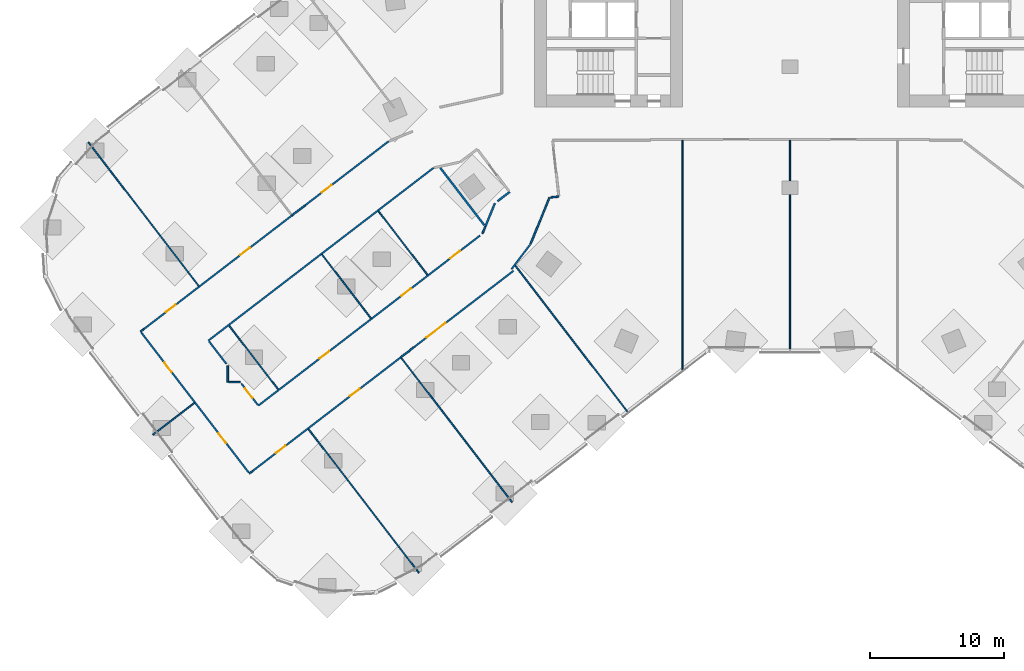
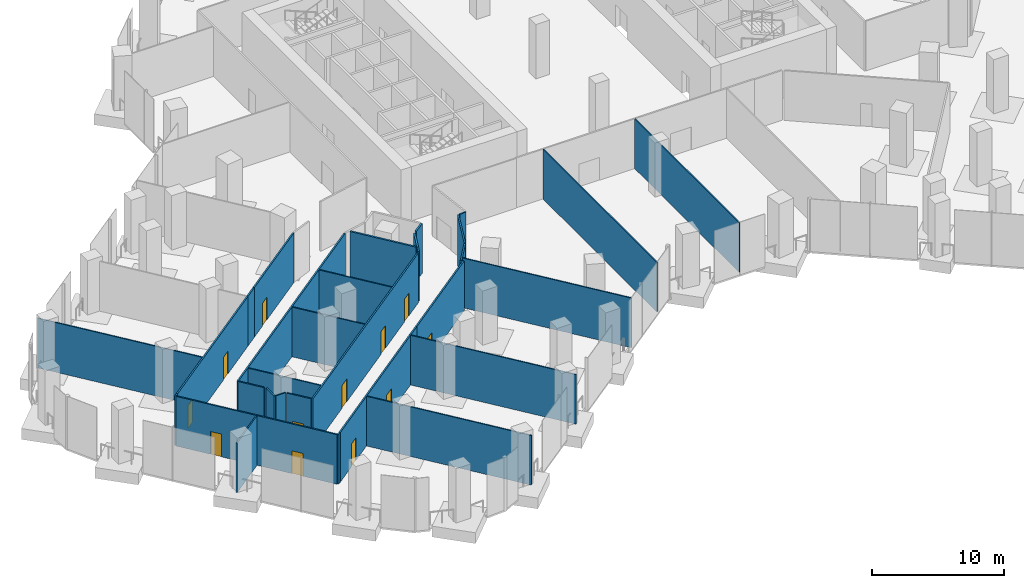
# One storey, part 18 of 27: 32 walls, 12 doors, 12 openings.
"""IFC4 building model written with IfcOpenShell, lengths in metres."""

from ifc_helpers import new_model, si_unit, direction, frame, frame_2d, origin, place, context, subcontext, project, spatial, rectangle, extrude, material, layer, layer_set, type_object, element, fill, save


model = new_model("IFC4")

# Units and contexts
model_context = context("Model", 3, precision=1e-05, world=origin(), true_north=direction((0.0, 1.0)))
body_context = subcontext(model_context, "Body", "Model", "MODEL_VIEW")
ifc_project = project(units=[si_unit("LENGTHUNIT", "METRE"), si_unit("AREAUNIT", "SQUARE_METRE"), si_unit("VOLUMEUNIT", "CUBIC_METRE"), si_unit("PLANEANGLEUNIT", "RADIAN"), si_unit("MASSUNIT", "GRAM", prefix="KILO")], contexts=[model_context])

# Site, building, storey
site_placement = place(None, origin())
site = spatial("IfcSite", under=ifc_project, at=site_placement, CompositionType="ELEMENT")
building_placement = place(site_placement, origin())
building = spatial("IfcBuilding", under=site, at=building_placement, Name="Orlundy Tower", CompositionType="ELEMENT")
storey_placement = place(building_placement, frame((0.0, 0.0, 10.5)))
storey = spatial("IfcBuildingStorey", under=building, at=storey_placement, Name="L01", CompositionType="ELEMENT", Elevation=10.5)

# Walls
ifc_material_1 = material(Name="Gypsum board partition")
ifc_layer_1 = layer(ifc_material_1, 0.10009765625)
ifc_layer_set_1 = layer_set([ifc_layer_1], Name="Floor partition 100")
wall_type_1 = type_object("IfcWallType", Name="Floor partition 100", PredefinedType="PARTITIONING", material=ifc_layer_set_1)
wall_1_placement = place(storey_placement, frame((-52.199951171875, -14.59912109375, 0.0), z_axis=(0.0, 0.0, 1.0), x_axis=(0.608835217765, -0.793296714735, 0.0)))
element("IfcWall", 1, at=wall_1_placement, inside=storey, type_object=wall_type_1, Name="wall-int-L01-006", PredefinedType="PARTITIONING", context=body_context, shape_type="SweptSolid", body=[
    extrude(rectangle(XDim=13.4814453125, YDim=0.10009765625, at=frame_2d((6.74072265625, 0.0))), origin(), (0.0, 0.0, 1.0), 4.580078125),
])
wall_2_placement = place(storey_placement, frame((-41.72412109375, -28.251953125, 0.0), z_axis=(0.0, 0.0, 1.0), x_axis=(0.608928252062, -0.793225304589, 0.0)))
element("IfcWall", 2, at=wall_2_placement, inside=storey, type_object=wall_type_1, Name="wall-int-L01-007", PredefinedType="PARTITIONING", context=body_context, shape_type="SweptSolid", body=[
    extrude(rectangle(XDim=5.97314453125, YDim=0.10009765625, at=frame_2d((2.986572265625, 0.0))), origin(), (0.0, 0.0, 1.0), 4.580078125),
])
wall_3_placement = place(storey_placement, frame((-35.819091796875, -35.947021484375, 0.0), z_axis=(0.0, 0.0, 1.0), x_axis=(0.608745897366, -0.793365257898, 0.0)))
element("IfcWall", 3, at=wall_3_placement, inside=storey, type_object=wall_type_1, Name="wall-int-L01-008", PredefinedType="PARTITIONING", context=body_context, shape_type="SweptSolid", body=[
    extrude(rectangle(XDim=13.48193359375, YDim=0.10009765625, at=frame_2d((6.740966796875, 0.0))), origin(), (0.0, 0.0, 1.0), 4.580078125),
])
wall_4_placement = place(storey_placement, frame((-34.822021484375, -22.955078125, 0.0), z_axis=(0.0, 0.0, 1.0), x_axis=(0.608823570319, -0.79330565372, 0.0)))
element("IfcWall", 4, at=wall_4_placement, inside=storey, type_object=wall_type_1, Name="wall-int-L01-010", PredefinedType="PARTITIONING", context=body_context, shape_type="SweptSolid", body=[
    extrude(rectangle(XDim=5.973876953125, YDim=0.10009765625, at=frame_2d((2.98681640625, 0.0))), origin(), (0.0, 0.0, 1.0), 4.580078125),
])
wall_5_placement = place(storey_placement, frame((-28.9169921875, -30.652099609375, 0.0), z_axis=(0.0, 0.0, 1.0), x_axis=(0.608788953199, -0.793332219478, 0.0)))
element("IfcWall", 5, at=wall_5_placement, inside=storey, type_object=wall_type_1, Name="wall-int-L01-011", PredefinedType="PARTITIONING", context=body_context, shape_type="SweptSolid", body=[
    extrude(rectangle(XDim=13.53515625, YDim=0.10009765625, at=frame_2d((6.767578125, 0.0))), origin(), (0.0, 0.0, 1.0), 4.580078125),
])
wall_6_placement = place(storey_placement, frame((-30.616943359375, -19.72900390625, 0.0), z_axis=(0.0, 0.0, 1.0), x_axis=(0.608902533452, -0.793245047104, 0.0)))
element("IfcWall", 6, at=wall_6_placement, inside=storey, type_object=wall_type_1, Name="wall-int-L01-012", PredefinedType="PARTITIONING", context=body_context, shape_type="SweptSolid", body=[
    extrude(rectangle(XDim=5.972900390625, YDim=0.10009765625, at=frame_2d((2.986328125, 0.0))), origin(), (0.0, 0.0, 1.0), 4.580078125),
])
wall_7_placement = place(storey_placement, frame((-20.430908203125, -23.791015625, 0.0), z_axis=(0.0, 0.0, 1.0), x_axis=(0.608708319694, -0.793394089678, 0.0)))
element("IfcWall", 7, at=wall_7_placement, inside=storey, type_object=wall_type_1, Name="wall-int-L01-015", PredefinedType="PARTITIONING", context=body_context, shape_type="SweptSolid", body=[
    extrude(rectangle(XDim=13.812744140625, YDim=0.10009765625, at=frame_2d((6.90625, 0.0))), origin(), (0.0, 0.0, 1.0), 4.580078125),
])
wall_8_placement = place(storey_placement, frame((-47.403076171875, -36.3740234375, 0.0), z_axis=(0.0, 0.0, 1.0), x_axis=(0.793195723927, 0.608966783613, 0.0)))
element("IfcWall", 8, at=wall_8_placement, inside=storey, type_object=wall_type_1, Name="wall-int-L01-046", PredefinedType="PARTITIONING", context=body_context, shape_type="SweptSolid", body=[
    extrude(rectangle(XDim=3.88671875, YDim=0.10009765625, at=frame_2d((1.943359375, 0.0))), origin(), (0.0, 0.0, 1.0), 4.580078125),
])
wall_9_placement = place(storey_placement, frame((0.0, -30.25, 0.0), z_axis=(0.0, 0.0, 1.0), x_axis=(0.0, 1.0, 0.0)))
element("IfcWall", 9, at=wall_9_placement, inside=storey, type_object=wall_type_1, Name="wall-int-L01-069", PredefinedType="PARTITIONING", context=body_context, shape_type="SweptSolid", body=[
    extrude(rectangle(XDim=15.787109375, YDim=0.10009765625, at=frame_2d((7.8935546875, 0.0))), origin(), (0.0, 0.0, 1.0), 4.580078125),
])
wall_10_placement = place(storey_placement, frame((-8.0, -31.6630859375, 0.0), z_axis=(0.0, 0.0, 1.0), x_axis=(0.0, 1.0, 0.0)))
element("IfcWall", 10, at=wall_10_placement, inside=storey, type_object=wall_type_1, Name="wall-int-L01-071", PredefinedType="PARTITIONING", context=body_context, shape_type="SweptSolid", body=[
    extrude(rectangle(XDim=17.2001953125, YDim=0.10009765625, at=frame_2d((8.60009765625, 0.0))), origin(), (0.0, 0.0, 1.0), 4.580078125),
])

# Wall, openings, doors
ifc_material_2 = material(Name="Gypsum board partition, double layer")
ifc_layer_2 = layer(ifc_material_2, 0.125)
ifc_layer_set_2 = layer_set([ifc_layer_2], Name="Floor partition 125")
wall_type_2 = type_object("IfcWallType", Name="Floor partition 125", PredefinedType="PARTITIONING", material=ifc_layer_set_2)
wall_11_placement = place(storey_placement, frame((-40.263916015625, -39.19091796875, 0.0), z_axis=(0.0, 0.0, 1.0), x_axis=(-0.608717571556, 0.793386991373, 0.0)))
wall_11 = element("IfcWall", 11, at=wall_11_placement, inside=storey, type_object=wall_type_2, Name="wall-int-L01-003", PredefinedType="PARTITIONING", context=body_context, shape_type="SweptSolid", body=[
    extrude(rectangle(XDim=13.1689453125, YDim=0.125, at=frame_2d((6.58447265625, 0.0))), origin(), (0.0, 0.0, 1.0), 4.580078125),
])
opening_1_placement = place(wall_11_placement, frame((9.431396484375, 0.0, 0.0)))
opening_1 = element("IfcOpeningElement", 12, at=opening_1_placement, cuts=wall_11, Name="Opening 02113", PredefinedType="OPENING", context=body_context, shape_type="SweptSolid", body=[
    extrude(rectangle(XDim=0.89990234375, YDim=2.10009765625, at=frame_2d((0.449951171875, 1.050048828125))), frame((0.0, 0.072509765625, 0.0), z_axis=(0.0, -1.0, 0.0), x_axis=(1.0, 0.0, 0.0)), (0.0, 0.0, 1.0), 0.14501953125),
])
opening_2_placement = place(wall_11_placement, frame((2.78076171875, 0.0, 0.0)))
opening_2 = element("IfcOpeningElement", 13, at=opening_2_placement, cuts=wall_11, Name="Opening 02115", PredefinedType="OPENING", context=body_context, shape_type="SweptSolid", body=[
    extrude(rectangle(XDim=0.89990234375, YDim=2.10009765625, at=frame_2d((0.449951171875, 1.050048828125))), frame((0.0, 0.072509765625, 0.0), z_axis=(0.0, -1.0, 0.0), x_axis=(1.0, 0.0, 0.0)), (0.0, 0.0, 1.0), 0.14501953125),
])
ifc_material_3 = material(Name="Timber door leaf", Category="wood")
door_type_1 = type_object("IfcDoorType", Name="Floor door single 900 FD30S", OperationType="NOTDEFINED", PredefinedType="DOOR", material=ifc_material_3)
door_1_placement = place(opening_1_placement, origin())
door_1 = element("IfcDoor", 14, at=door_1_placement, inside=storey, type_object=door_type_1, Name="Door 02113", OperationType="SINGLE_SWING_RIGHT", OverallHeight=2.10009765625, OverallWidth=0.89990234375, PredefinedType="DOOR", context=body_context, shape_type="SweptSolid", body=[
    extrude(rectangle(XDim=0.89990234375, YDim=2.10009765625, at=frame_2d((0.449951171875, 1.050048828125))), frame((0.0, 0.02490234375, 0.0), z_axis=(0.0, -1.0, 0.0), x_axis=(1.0, 0.0, 0.0)), (0.0, 0.0, 1.0), 0.050048828125),
])
fill(opening_1, door_1)
door_2_placement = place(opening_2_placement, origin())
door_2 = element("IfcDoor", 15, at=door_2_placement, inside=storey, type_object=door_type_1, Name="Door 02115", OperationType="SINGLE_SWING_LEFT", OverallHeight=2.10009765625, OverallWidth=0.89990234375, PredefinedType="DOOR", context=body_context, shape_type="SweptSolid", body=[
    extrude(rectangle(XDim=0.89990234375, YDim=2.10009765625, at=frame_2d((0.449951171875, 1.050048828125))), frame((0.0, 0.02490234375, 0.0), z_axis=(0.0, -1.0, 0.0), x_axis=(1.0, 0.0, 0.0)), (0.0, 0.0, 1.0), 0.050048828125),
])
fill(opening_2, door_2)

# Wall
wall_12_placement = place(storey_placement, frame((-43.23095703125, -29.407958984375, 0.0), z_axis=(0.0, 0.0, 1.0), x_axis=(0.608774942854, -0.79334297057, 0.0)))
element("IfcWall", 16, at=wall_12_placement, inside=storey, type_object=wall_type_2, Name="wall-int-L01-004", PredefinedType="PARTITIONING", context=body_context, shape_type="SweptSolid", body=[
    extrude(rectangle(XDim=2.119140625, YDim=0.125, at=frame_2d((1.0595703125, 0.0))), origin(), (0.0, 0.0, 1.0), 4.580078125),
])

# Wall, opening, door
wall_13_placement = place(storey_placement, frame((-40.820068359375, -32.551025390625, 0.0), z_axis=(0.0, 0.0, 1.0), x_axis=(0.609452676656, -0.792822448545, 0.0)))
wall_13 = element("IfcWall", 17, at=wall_13_placement, inside=storey, type_object=wall_type_2, Name="wall-int-L01-005", PredefinedType="PARTITIONING", context=body_context, shape_type="SweptSolid", body=[
    extrude(rectangle(XDim=2.01171875, YDim=0.125, at=frame_2d((1.005859375, 0.0))), origin(), (0.0, 0.0, 1.0), 4.580078125),
])
opening_3_placement = place(wall_13_placement, frame((0.47314453125, 0.0, 0.0)))
opening_3 = element("IfcOpeningElement", 18, at=opening_3_placement, cuts=wall_13, Name="Opening 02112", PredefinedType="OPENING", context=body_context, shape_type="SweptSolid", body=[
    extrude(rectangle(XDim=0.89990234375, YDim=2.10009765625, at=frame_2d((0.449951171875, 1.050048828125))), frame((0.0, 0.072509765625, 0.0), z_axis=(0.0, -1.0, 0.0), x_axis=(1.0, 0.0, 0.0)), (0.0, 0.0, 1.0), 0.14501953125),
])
door_3_placement = place(opening_3_placement, origin())
door_3 = element("IfcDoor", 19, at=door_3_placement, inside=storey, type_object=door_type_1, Name="Door 02112", OperationType="SINGLE_SWING_LEFT", OverallHeight=2.10009765625, OverallWidth=0.89990234375, PredefinedType="DOOR", context=body_context, shape_type="SweptSolid", body=[
    extrude(rectangle(XDim=0.89990234375, YDim=2.10009765625, at=frame_2d((0.449951171875, 1.050048828125))), frame((0.0, 0.02490234375, 0.0), z_axis=(0.0, -1.0, 0.0), x_axis=(1.0, 0.0, 0.0)), (0.0, 0.0, 1.0), 0.050048828125),
])
fill(opening_3, door_3)

# Walls
wall_14_placement = place(storey_placement, frame((-41.76611328125, -32.448974609375, 0.0), z_axis=(0.0, 0.0, 1.0), x_axis=(1.0, 0.0, 0.0)))
element("IfcWall", 20, at=wall_14_placement, inside=storey, type_object=wall_type_2, Name="wall-int-L01-023", PredefinedType="PARTITIONING", context=body_context, shape_type="SweptSolid", body=[
    extrude(rectangle(XDim=0.869140625, YDim=0.125, at=frame_2d((0.4345703125, 0.0))), origin(), (0.0, 0.0, 1.0), 4.580078125),
])
wall_15_placement = place(storey_placement, frame((-17.79296875, -18.7080078125, 0.0), z_axis=(0.0, 0.0, 1.0), x_axis=(0.994037722998, 0.109036715182, 0.0)))
element("IfcWall", 21, at=wall_15_placement, inside=storey, type_object=wall_type_2, Name="wall-int-L01-035", PredefinedType="PARTITIONING", context=body_context, shape_type="SweptSolid", body=[
    extrude(rectangle(XDim=0.595703125, YDim=0.125, at=frame_2d((0.2978515625, 0.0))), origin(), (0.0, 0.0, 1.0), 4.580078125),
])
wall_16_placement = place(storey_placement, frame((-40.220947265625, -39.2451171875, 0.0), z_axis=(0.0, 0.0, 1.0), x_axis=(0.79539441782, 0.606092171291, 0.0)))
element("IfcWall", 22, at=wall_16_placement, inside=storey, type_object=wall_type_2, Name="wall-int-L01-041", PredefinedType="PARTITIONING", context=body_context, shape_type="SweptSolid", body=[
    extrude(rectangle(XDim=0.300537109375, YDim=0.125, at=frame_2d((0.150390625, 0.0))), origin(), (0.0, 0.0, 1.0), 4.580078125),
])
wall_17_placement = place(storey_placement, frame((-28.955078125, -30.60009765625, 0.0), z_axis=(0.0, 0.0, 1.0), x_axis=(0.793590253862, 0.608452552772, 0.0)))
element("IfcWall", 23, at=wall_17_placement, inside=storey, type_object=wall_type_2, Name="wall-int-L01-042", PredefinedType="PARTITIONING", context=body_context, shape_type="SweptSolid", body=[
    extrude(rectangle(XDim=1.2197265625, YDim=0.125, at=frame_2d((0.60986328125, 0.0))), origin(), (0.0, 0.0, 1.0), 4.580078125),
])

# Wall, openings, doors
wall_18_placement = place(storey_placement, frame((-28.955078125, -30.60009765625, 0.0), z_axis=(0.0, 0.0, 1.0), x_axis=(-0.793294727074, -0.608837807627, 0.0)))
wall_18 = element("IfcWall", 24, at=wall_18_placement, inside=storey, type_object=wall_type_2, Name="wall-int-L01-043", PredefinedType="PARTITIONING", context=body_context, shape_type="SweptSolid", body=[
    extrude(rectangle(XDim=13.900146484375, YDim=0.125, at=frame_2d((6.9501953125, 0.0))), origin(), (0.0, 0.0, 1.0), 4.580078125),
])
opening_4_placement = place(wall_18_placement, frame((3.850830078125, 0.0, 0.0)))
opening_4 = element("IfcOpeningElement", 25, at=opening_4_placement, cuts=wall_18, Name="Opening 02108", PredefinedType="OPENING", context=body_context, shape_type="SweptSolid", body=[
    extrude(rectangle(XDim=0.89990234375, YDim=2.10009765625, at=frame_2d((0.449951171875, 1.050048828125))), frame((0.0, 0.072509765625, 0.0), z_axis=(0.0, -1.0, 0.0), x_axis=(1.0, 0.0, 0.0)), (0.0, 0.0, 1.0), 0.14501953125),
])
opening_5_placement = place(wall_18_placement, frame((10.800537109375, 0.0, 0.0)))
opening_5 = element("IfcOpeningElement", 26, at=opening_5_placement, cuts=wall_18, Name="Opening 02116", PredefinedType="OPENING", context=body_context, shape_type="SweptSolid", body=[
    extrude(rectangle(XDim=0.89990234375, YDim=2.10009765625, at=frame_2d((0.449951171875, 1.050048828125))), frame((0.0, 0.072509765625, 0.0), z_axis=(0.0, -1.0, 0.0), x_axis=(1.0, 0.0, 0.0)), (0.0, 0.0, 1.0), 0.14501953125),
])
door_4_placement = place(opening_4_placement, origin())
door_4 = element("IfcDoor", 27, at=door_4_placement, inside=storey, type_object=door_type_1, Name="Door 02108", OperationType="SINGLE_SWING_LEFT", OverallHeight=2.10009765625, OverallWidth=0.89990234375, PredefinedType="DOOR", context=body_context, shape_type="SweptSolid", body=[
    extrude(rectangle(XDim=0.89990234375, YDim=2.10009765625, at=frame_2d((0.449951171875, 1.050048828125))), frame((0.0, 0.02490234375, 0.0), z_axis=(0.0, -1.0, 0.0), x_axis=(1.0, 0.0, 0.0)), (0.0, 0.0, 1.0), 0.050048828125),
])
fill(opening_4, door_4)
door_5_placement = place(opening_5_placement, origin())
door_5 = element("IfcDoor", 28, at=door_5_placement, inside=storey, type_object=door_type_1, Name="Door 02116", OperationType="SINGLE_SWING_RIGHT", OverallHeight=2.10009765625, OverallWidth=0.89990234375, PredefinedType="DOOR", context=body_context, shape_type="SweptSolid", body=[
    extrude(rectangle(XDim=0.89990234375, YDim=2.10009765625, at=frame_2d((0.449951171875, 1.050048828125))), frame((0.0, 0.02490234375, 0.0), z_axis=(0.0, -1.0, 0.0), x_axis=(1.0, 0.0, 0.0)), (0.0, 0.0, 1.0), 0.050048828125),
])
fill(opening_5, door_5)

# Wall, opening, door
wall_19_placement = place(storey_placement, frame((-20.56689453125, -24.1640625, 0.0), z_axis=(0.0, 0.0, 1.0), x_axis=(-0.793345387212, -0.608771793523, 0.0)))
wall_19 = element("IfcWall", 29, at=wall_19_placement, inside=storey, type_object=wall_type_2, Name="wall-int-L01-044", PredefinedType="PARTITIONING", context=body_context, shape_type="SweptSolid", body=[
    extrude(rectangle(XDim=9.35302734375, YDim=0.125, at=frame_2d((4.676513671875, 0.0))), origin(), (0.0, 0.0, 1.0), 4.580078125),
])
opening_6_placement = place(wall_19_placement, frame((6.372802734375, 0.0, 0.0)))
opening_6 = element("IfcOpeningElement", 30, at=opening_6_placement, cuts=wall_19, Name="Opening 02107", PredefinedType="OPENING", context=body_context, shape_type="SweptSolid", body=[
    extrude(rectangle(XDim=1.800048828125, YDim=2.10009765625, at=frame_2d((0.89990234375, 1.050048828125))), frame((0.0, 0.072509765625, 0.0), z_axis=(0.0, -1.0, 0.0), x_axis=(1.0, 0.0, 0.0)), (0.0, 0.0, 1.0), 0.14501953125),
])
ifc_material_4 = material(Name="Timber door leaf", Category="wood")
door_type_2 = type_object("IfcDoorType", Name="Floor door double 1800 FD30S", OperationType="NOTDEFINED", PredefinedType="DOOR", material=ifc_material_4)
door_6_placement = place(opening_6_placement, origin())
door_6 = element("IfcDoor", 31, at=door_6_placement, inside=storey, type_object=door_type_2, Name="Door 02107", OperationType="DOUBLE_DOOR_SINGLE_SWING", OverallHeight=2.10009765625, OverallWidth=1.800048828125, PredefinedType="DOOR", context=body_context, shape_type="SweptSolid", body=[
    extrude(rectangle(XDim=1.800048828125, YDim=2.10009765625, at=frame_2d((0.89990234375, 1.050048828125))), frame((0.0, 0.02490234375, 0.0), z_axis=(0.0, -1.0, 0.0), x_axis=(1.0, 0.0, 0.0)), (0.0, 0.0, 1.0), 0.050048828125),
])
fill(opening_6, door_6)

# Wall, openings, doors
wall_20_placement = place(storey_placement, frame((-39.555908203125, -34.196044921875, 0.0), z_axis=(0.0, 0.0, 1.0), x_axis=(0.793448872505, 0.608636908773, 0.0)))
wall_20 = element("IfcWall", 32, at=wall_20_placement, inside=storey, type_object=wall_type_2, Name="wall-int-L01-045", PredefinedType="PARTITIONING", context=body_context, shape_type="SweptSolid", body=[
    extrude(rectangle(XDim=20.78759765625, YDim=0.125, at=frame_2d((10.393798828125, 0.0))), origin(), (0.0, 0.0, 1.0), 4.580078125),
])
opening_7_placement = place(wall_20_placement, frame((17.99951171875, 0.0, 0.0)))
opening_7 = element("IfcOpeningElement", 33, at=opening_7_placement, cuts=wall_20, Name="Opening 02109", PredefinedType="OPENING", context=body_context, shape_type="SweptSolid", body=[
    extrude(rectangle(XDim=0.89990234375, YDim=2.10009765625, at=frame_2d((0.449951171875, 1.050048828125))), frame((0.0, 0.072509765625, 0.0), z_axis=(0.0, -1.0, 0.0), x_axis=(1.0, 0.0, 0.0)), (0.0, 0.0, 1.0), 0.14501953125),
])
opening_8_placement = place(wall_20_placement, frame((13.419189453125, 0.0, 0.0)))
opening_8 = element("IfcOpeningElement", 34, at=opening_8_placement, cuts=wall_20, Name="Opening 02110", PredefinedType="OPENING", context=body_context, shape_type="SweptSolid", body=[
    extrude(rectangle(XDim=0.89990234375, YDim=2.10009765625, at=frame_2d((0.449951171875, 1.050048828125))), frame((0.0, 0.072509765625, 0.0), z_axis=(0.0, -1.0, 0.0), x_axis=(1.0, 0.0, 0.0)), (0.0, 0.0, 1.0), 0.14501953125),
])
opening_9_placement = place(wall_20_placement, frame((5.749267578125, 0.0, 0.0)))
opening_9 = element("IfcOpeningElement", 35, at=opening_9_placement, cuts=wall_20, Name="Opening 02111", PredefinedType="OPENING", context=body_context, shape_type="SweptSolid", body=[
    extrude(rectangle(XDim=0.89990234375, YDim=2.10009765625, at=frame_2d((0.449951171875, 1.050048828125))), frame((0.0, 0.072509765625, 0.0), z_axis=(0.0, -1.0, 0.0), x_axis=(1.0, 0.0, 0.0)), (0.0, 0.0, 1.0), 0.14501953125),
])
door_7_placement = place(opening_7_placement, origin())
door_7 = element("IfcDoor", 36, at=door_7_placement, inside=storey, type_object=door_type_1, Name="Door 02109", OperationType="SINGLE_SWING_RIGHT", OverallHeight=2.10009765625, OverallWidth=0.89990234375, PredefinedType="DOOR", context=body_context, shape_type="SweptSolid", body=[
    extrude(rectangle(XDim=0.89990234375, YDim=2.10009765625, at=frame_2d((0.449951171875, 1.050048828125))), frame((0.0, 0.02490234375, 0.0), z_axis=(0.0, -1.0, 0.0), x_axis=(1.0, 0.0, 0.0)), (0.0, 0.0, 1.0), 0.050048828125),
])
fill(opening_7, door_7)
door_8_placement = place(opening_8_placement, origin())
door_8 = element("IfcDoor", 37, at=door_8_placement, inside=storey, type_object=door_type_1, Name="Door 02110", OperationType="SINGLE_SWING_RIGHT", OverallHeight=2.10009765625, OverallWidth=0.89990234375, PredefinedType="DOOR", context=body_context, shape_type="SweptSolid", body=[
    extrude(rectangle(XDim=0.89990234375, YDim=2.10009765625, at=frame_2d((0.449951171875, 1.050048828125))), frame((0.0, 0.02490234375, 0.0), z_axis=(0.0, -1.0, 0.0), x_axis=(1.0, 0.0, 0.0)), (0.0, 0.0, 1.0), 0.050048828125),
])
fill(opening_8, door_8)
door_9_placement = place(opening_9_placement, origin())
door_9 = element("IfcDoor", 38, at=door_9_placement, inside=storey, type_object=door_type_1, Name="Door 02111", OperationType="SINGLE_SWING_LEFT", OverallHeight=2.10009765625, OverallWidth=0.89990234375, PredefinedType="DOOR", context=body_context, shape_type="SweptSolid", body=[
    extrude(rectangle(XDim=0.89990234375, YDim=2.10009765625, at=frame_2d((0.449951171875, 1.050048828125))), frame((0.0, 0.02490234375, 0.0), z_axis=(0.0, -1.0, 0.0), x_axis=(1.0, 0.0, 0.0)), (0.0, 0.0, 1.0), 0.050048828125),
])
fill(opening_9, door_9)

# Wall
wall_21_placement = place(storey_placement, frame((-43.26904296875, -29.35791015625, 0.0), z_axis=(0.0, 0.0, 1.0), x_axis=(0.793439885471, 0.608648624531, 0.0)))
element("IfcWall", 39, at=wall_21_placement, inside=storey, type_object=wall_type_2, Name="wall-int-L01-047", PredefinedType="PARTITIONING", context=body_context, shape_type="SweptSolid", body=[
    extrude(rectangle(XDim=21.105712890625, YDim=0.125, at=frame_2d((10.552734375, 0.0))), origin(), (0.0, 0.0, 1.0), 4.580078125),
])

# Wall, openings, doors
wall_22_placement = place(storey_placement, frame((-48.080078125, -28.510009765625, 0.0), z_axis=(0.0, 0.0, 1.0), x_axis=(0.793361206696, 0.608751177173, 0.0)))
wall_22 = element("IfcWall", 40, at=wall_22_placement, inside=storey, type_object=wall_type_2, Name="wall-int-L01-048", PredefinedType="PARTITIONING", context=body_context, shape_type="SweptSolid", body=[
    extrude(rectangle(XDim=13.900390625, YDim=0.125, at=frame_2d((6.9501953125, 0.0))), origin(), (0.0, 0.0, 1.0), 4.580078125),
])
opening_10_placement = place(wall_22_placement, frame((2.10009765625, 0.0, 0.0)))
opening_10 = element("IfcOpeningElement", 41, at=opening_10_placement, cuts=wall_22, Name="Opening 02114", PredefinedType="OPENING", context=body_context, shape_type="SweptSolid", body=[
    extrude(rectangle(XDim=0.89990234375, YDim=2.10009765625, at=frame_2d((0.449951171875, 1.050048828125))), frame((0.0, 0.072509765625, 0.0), z_axis=(0.0, -1.0, 0.0), x_axis=(1.0, 0.0, 0.0)), (0.0, 0.0, 1.0), 0.14501953125),
])
opening_11_placement = place(wall_22_placement, frame((9.05078125, 0.0, 0.0)))
opening_11 = element("IfcOpeningElement", 42, at=opening_11_placement, cuts=wall_22, Name="Opening 02118", PredefinedType="OPENING", context=body_context, shape_type="SweptSolid", body=[
    extrude(rectangle(XDim=0.89990234375, YDim=2.10009765625, at=frame_2d((0.449951171875, 1.050048828125))), frame((0.0, 0.072509765625, 0.0), z_axis=(0.0, -1.0, 0.0), x_axis=(1.0, 0.0, 0.0)), (0.0, 0.0, 1.0), 0.14501953125),
])
door_10_placement = place(opening_10_placement, origin())
door_10 = element("IfcDoor", 43, at=door_10_placement, inside=storey, type_object=door_type_1, Name="Door 02114", OperationType="SINGLE_SWING_LEFT", OverallHeight=2.10009765625, OverallWidth=0.89990234375, PredefinedType="DOOR", context=body_context, shape_type="SweptSolid", body=[
    extrude(rectangle(XDim=0.89990234375, YDim=2.10009765625, at=frame_2d((0.449951171875, 1.050048828125))), frame((0.0, 0.02490234375, 0.0), z_axis=(0.0, -1.0, 0.0), x_axis=(1.0, 0.0, 0.0)), (0.0, 0.0, 1.0), 0.050048828125),
])
fill(opening_10, door_10)
door_11_placement = place(opening_11_placement, origin())
door_11 = element("IfcDoor", 44, at=door_11_placement, inside=storey, type_object=door_type_1, Name="Door 02118", OperationType="SINGLE_SWING_RIGHT", OverallHeight=2.10009765625, OverallWidth=0.89990234375, PredefinedType="DOOR", context=body_context, shape_type="SweptSolid", body=[
    extrude(rectangle(XDim=0.89990234375, YDim=2.10009765625, at=frame_2d((0.449951171875, 1.050048828125))), frame((0.0, 0.02490234375, 0.0), z_axis=(0.0, -1.0, 0.0), x_axis=(1.0, 0.0, 0.0)), (0.0, 0.0, 1.0), 0.050048828125),
])
fill(opening_11, door_11)

# Wall, opening, door
wall_23_placement = place(storey_placement, frame((-36.083984375, -19.304931640625, 0.0), z_axis=(0.0, 0.0, 1.0), x_axis=(0.793472416576, 0.60860621434, 0.0)))
wall_23 = element("IfcWall", 45, at=wall_23_placement, inside=storey, type_object=wall_type_2, Name="wall-int-L01-049", PredefinedType="PARTITIONING", context=body_context, shape_type="SweptSolid", body=[
    extrude(rectangle(XDim=7.833984375, YDim=0.125, at=frame_2d((3.9169921875, 0.0))), origin(), (0.0, 0.0, 1.0), 4.580078125),
])
opening_12_placement = place(wall_23_placement, frame((1.60009765625, 0.0, 0.0)))
opening_12 = element("IfcOpeningElement", 46, at=opening_12_placement, cuts=wall_23, Name="Opening 02117", PredefinedType="OPENING", context=body_context, shape_type="SweptSolid", body=[
    extrude(rectangle(XDim=0.89990234375, YDim=2.10009765625, at=frame_2d((0.449951171875, 1.050048828125))), frame((0.0, 0.072509765625, 0.0), z_axis=(0.0, -1.0, 0.0), x_axis=(1.0, 0.0, 0.0)), (0.0, 0.0, 1.0), 0.14501953125),
])
door_12_placement = place(opening_12_placement, origin())
door_12 = element("IfcDoor", 47, at=door_12_placement, inside=storey, type_object=door_type_1, Name="Door 02117", OperationType="SINGLE_SWING_LEFT", OverallHeight=2.10009765625, OverallWidth=0.89990234375, PredefinedType="DOOR", context=body_context, shape_type="SweptSolid", body=[
    extrude(rectangle(XDim=0.89990234375, YDim=2.10009765625, at=frame_2d((0.449951171875, 1.050048828125))), frame((0.0, 0.02490234375, 0.0), z_axis=(0.0, -1.0, 0.0), x_axis=(1.0, 0.0, 0.0)), (0.0, 0.0, 1.0), 0.050048828125),
])
fill(opening_12, door_12)

# Walls
wall_24_placement = place(storey_placement, frame((-37.051025390625, -20.048095703125, 0.0), z_axis=(0.0, 0.0, 1.0), x_axis=(0.792906683767, 0.60934308139, 0.0)))
element("IfcWall", 48, at=wall_24_placement, inside=storey, type_object=wall_type_2, Name="wall-int-L01-050", PredefinedType="PARTITIONING", context=body_context, shape_type="SweptSolid", body=[
    extrude(rectangle(XDim=1.2197265625, YDim=0.125, at=frame_2d((0.60986328125, 0.0))), origin(), (0.0, 0.0, 1.0), 4.580078125),
])
wall_25_placement = place(storey_placement, frame((-48.318115234375, -28.693115234375, 0.0), z_axis=(0.0, 0.0, 1.0), x_axis=(0.792623989105, 0.60971076085, 0.0)))
element("IfcWall", 49, at=wall_25_placement, inside=storey, type_object=wall_type_2, Name="wall-int-L01-051", PredefinedType="PARTITIONING", context=body_context, shape_type="SweptSolid", body=[
    extrude(rectangle(XDim=0.30029296875, YDim=0.125, at=frame_2d((0.150146484375, 0.0))), origin(), (0.0, 0.0, 1.0), 4.580078125),
])
wall_26_placement = place(storey_placement, frame((-19.35009765625, -22.237060546875, 0.0), z_axis=(0.0, 0.0, 1.0), x_axis=(-0.603936432713, -0.797032486943, 0.0)))
element("IfcWall", 50, at=wall_26_placement, inside=storey, type_object=wall_type_2, Name="wall-int-L01-062", PredefinedType="PARTITIONING", context=body_context, shape_type="SweptSolid", body=[
    extrude(rectangle(XDim=2.268310546875, YDim=0.125, at=frame_2d((1.13427734375, 0.0))), origin(), (0.0, 0.0, 1.0), 4.580078125),
])
wall_27_placement = place(storey_placement, frame((-19.31201171875, -22.18701171875, 0.0), z_axis=(0.0, 0.0, 1.0), x_axis=(0.377878748859, 0.925855091881, 0.0)))
element("IfcWall", 51, at=wall_27_placement, inside=storey, type_object=wall_type_2, Name="wall-int-L01-063", PredefinedType="PARTITIONING", context=body_context, shape_type="SweptSolid", body=[
    extrude(rectangle(XDim=3.74462890625, YDim=0.125, at=frame_2d((1.872314453125, 0.0))), origin(), (0.0, 0.0, 1.0), 4.580078125),
])
wall_28_placement = place(storey_placement, frame((-22.881103515625, -21.40087890625, 0.0), z_axis=(0.0, 0.0, 1.0), x_axis=(0.377420478288, 0.926041998275, 0.0)))
element("IfcWall", 52, at=wall_28_placement, inside=storey, type_object=wall_type_2, Name="wall-int-L01-065", PredefinedType="PARTITIONING", context=body_context, shape_type="SweptSolid", body=[
    extrude(rectangle(XDim=0.564697265625, YDim=0.125, at=frame_2d((0.2822265625, 0.0))), origin(), (0.0, 0.0, 1.0), 4.580078125),
])
wall_29_placement = place(storey_placement, frame((-41.827880859375, -32.448974609375, 0.0), z_axis=(0.0, 0.0, 1.0), x_axis=(0.0, 1.0, 0.0)))
element("IfcWall", 53, at=wall_29_placement, inside=storey, type_object=wall_type_2, Name="wall-int-L01-074", PredefinedType="PARTITIONING", context=body_context, shape_type="SweptSolid", body=[
    extrude(rectangle(XDim=1.2138671875, YDim=0.125, at=frame_2d((0.60693359375, 0.0))), origin(), (0.0, 0.0, 1.0), 4.580078125),
])
ifc_material_5 = material(Name="Blockwork shaft wall", Category="masonry")
ifc_layer_3 = layer(ifc_material_5, 0.14990234375)
ifc_layer_set_3 = layer_set([ifc_layer_3], Name="Floor shaft wall 150")
wall_type_3 = type_object("IfcWallType", Name="Floor shaft wall 150", PredefinedType="PARTITIONING", material=ifc_layer_set_3)
wall_30_placement = place(storey_placement, frame((-26.02099609375, -16.509033203125, 0.0), z_axis=(0.0, 0.0, 1.0), x_axis=(0.608806156611, -0.793319017592, 0.0)))
element("IfcWall", 54, at=wall_30_placement, inside=storey, type_object=wall_type_3, Name="wall-int-L01-014", PredefinedType="PARTITIONING", context=body_context, shape_type="SweptSolid", body=[
    extrude(rectangle(XDim=5.3759765625, YDim=0.14990234375, at=frame_2d((2.68798828125, 0.0))), origin(), (0.0, 0.0, 1.0), 4.580078125),
])
wall_31_placement = place(storey_placement, frame((-21.758056640625, -18.987060546875, 0.0), z_axis=(0.0, 0.0, 1.0), x_axis=(0.797423261737, 0.603420368931, 0.0)))
element("IfcWall", 55, at=wall_31_placement, inside=storey, type_object=wall_type_3, Name="wall-int-L01-039", PredefinedType="PARTITIONING", context=body_context, shape_type="SweptSolid", body=[
    extrude(rectangle(XDim=1.12890625, YDim=0.14990234375, at=frame_2d((0.564453125, 0.0))), origin(), (0.0, 0.0, 1.0), 4.580078125),
])
wall_32_placement = place(storey_placement, frame((-22.66796875, -20.8779296875, 0.0), z_axis=(0.0, 0.0, 1.0), x_axis=(0.378415254767, 0.925635940832, 0.0)))
element("IfcWall", 56, at=wall_32_placement, inside=storey, type_object=wall_type_3, Name="wall-int-L01-064", PredefinedType="PARTITIONING", context=body_context, shape_type="SweptSolid", body=[
    extrude(rectangle(XDim=1.878662109375, YDim=0.14990234375, at=frame_2d((0.939453125, 0.0))), origin(), (0.0, 0.0, 1.0), 4.580078125),
])

save(model, "model.ifc")
